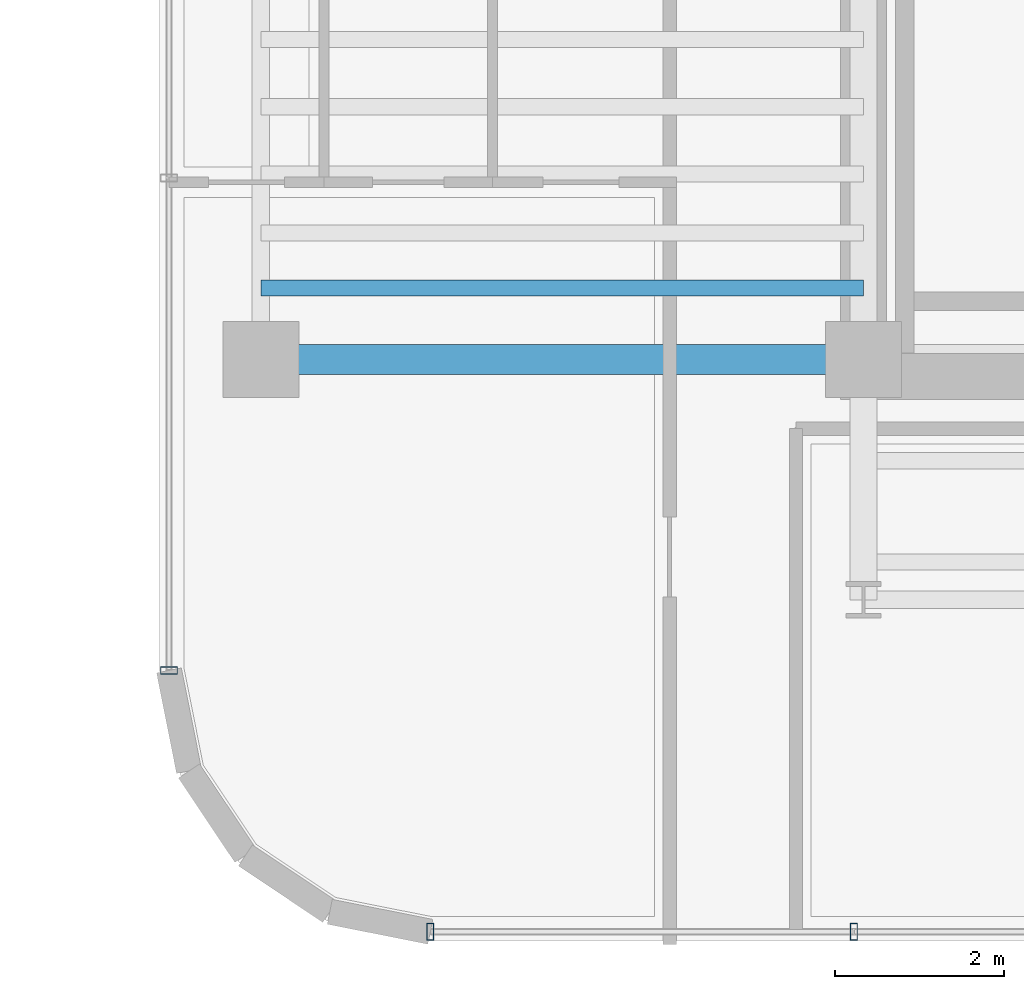
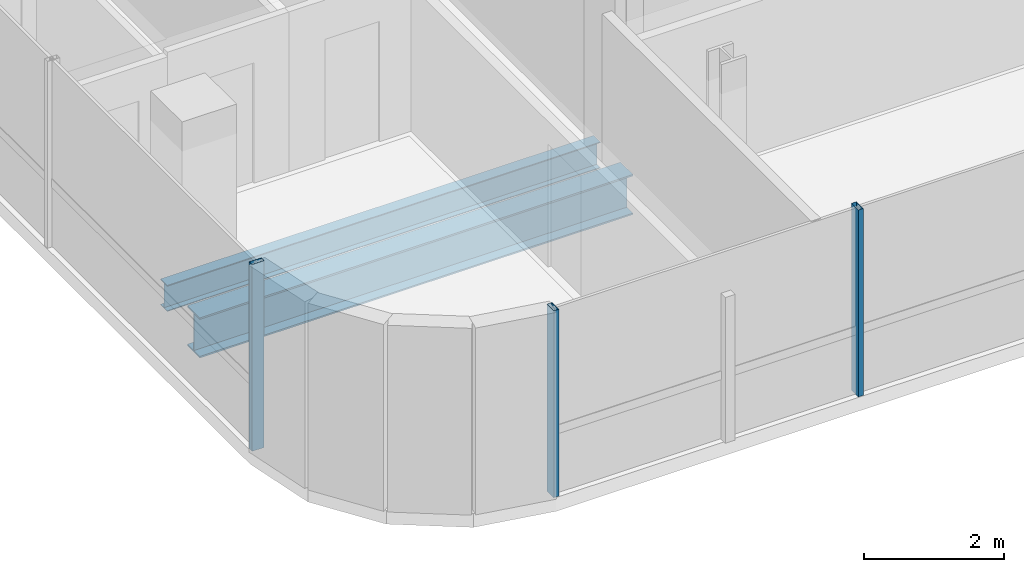
# One storey, part 2 of 22: 3 members, 2 beams, 2 elements without a shape of their own.
"""IFC4 building model written with IfcOpenShell, lengths in metres."""

from ifc_helpers import new_model, si_unit, direction, frame, origin, origin_2d, place, context, subcontext, project, spatial, hollow_rectangle, i_section, extrude, source, transform, mapped, material, material_profile, profile_set, type_object, element, aggregate, save


model = new_model("IFC4")

# Units and contexts
model_context = context("Model", 3, precision=1e-05, world=origin(), true_north=direction((0.0, 1.0)))
body_context = subcontext(model_context, "Body", "Model", "MODEL_VIEW")
ifc_project = project(units=[si_unit("LENGTHUNIT", "METRE"), si_unit("AREAUNIT", "SQUARE_METRE"), si_unit("VOLUMEUNIT", "CUBIC_METRE"), si_unit("PLANEANGLEUNIT", "RADIAN"), si_unit("MASSUNIT", "GRAM", prefix="KILO")], contexts=[model_context])

# Site, building, storey
site_placement = place(None, origin())
site = spatial("IfcSite", under=ifc_project, at=site_placement, CompositionType="ELEMENT")
building_placement = place(site_placement, origin())
building = spatial("IfcBuilding", under=site, at=building_placement, Name="Valdorenza Pilgrim Sanctuary Tower", CompositionType="ELEMENT")
storey_placement = place(building_placement, frame((0.0, 0.0, 209.0)))
storey = spatial("IfcBuildingStorey", under=building, at=storey_placement, Name="L53", CompositionType="ELEMENT", Elevation=209.0)

# Beams
ifc_material_1 = material(Name="Steel ASTM A992 Grade 50", Category="steel")
ifc_material_profile_1 = material_profile(ifc_material_1, i_section(OverallWidth=0.19091796875, OverallDepth=0.45703125, WebThickness=0.009033203125, FlangeThickness=0.014404296875, at=origin_2d()), Name="W18X50")
ifc_profile_set_1 = profile_set([ifc_material_profile_1], Name="Steel ASTM A992 Grade 50")
beam_type_1 = type_object("IfcBeamType", Name="STR-BM-JST-W18B", PredefinedType="JOIST", material=ifc_profile_set_1)
shared_shape_1 = source(origin(), body_context, "Body", "SweptSolid", [
    extrude(i_section(OverallWidth=0.19091796875, OverallDepth=0.45703125, WebThickness=0.009033203125, FlangeThickness=0.014404296875, at=origin_2d()), origin(), (0.0, 0.0, 1.0), 7.150146484375),
])
beam_1_placement = place(storey_placement, frame((-29.800048828125, -9.75, -0.468505859375), z_axis=(1.0, 0.0, 0.0), x_axis=(0.0, 1.0, 0.0)))
element("IfcBeam", 1, at=beam_1_placement, inside=storey, type_object=beam_type_1, Name="L53 Composite Floor Joist JST-WA-1", PredefinedType="JOIST", context=body_context, shape_type="MappedRepresentation", body=[
    mapped(shared_shape_1, transform((0.0, 0.0, 0.0), x_axis=(1.0, 0.0, 0.0), y_axis=(0.0, 1.0, 0.0), z_axis=(0.0, 0.0, 1.0), scale=1.0)),
])
ifc_material_profile_2 = material_profile(ifc_material_1, i_section(OverallWidth=0.35595703125, OverallDepth=0.700927734375, WebThickness=0.016845703125, FlangeThickness=0.02734375, at=origin_2d()), Name="W27X161")
ifc_profile_set_2 = profile_set([ifc_material_profile_2], Name="Steel ASTM A992 Grade 50")
beam_type_2 = type_object("IfcBeamType", Name="STR-BM-GRD-W27", PredefinedType="BEAM", material=ifc_profile_set_2)
shared_shape_2 = source(origin(), body_context, "Body", "SweptSolid", [
    extrude(i_section(OverallWidth=0.35595703125, OverallDepth=0.700927734375, WebThickness=0.016845703125, FlangeThickness=0.02734375, at=origin_2d()), origin(), (0.0, 0.0, 1.0), 7.150146484375),
])
beam_2_placement = place(storey_placement, frame((-29.800048828125, -10.60009765625, -0.590576171875), z_axis=(1.0, 0.0, 0.0), x_axis=(0.0, 1.0, 0.0)))
element("IfcBeam", 2, at=beam_2_placement, inside=storey, type_object=beam_type_2, Name="L53 Floor Girder WA-XW-S1", PredefinedType="BEAM", context=body_context, shape_type="MappedRepresentation", body=[
    mapped(shared_shape_2, transform((0.0, 0.0, 0.0), x_axis=(1.0, 0.0, 0.0), y_axis=(0.0, 1.0, 0.0), z_axis=(0.0, 0.0, 1.0), scale=1.0)),
])

# Curtain wall, member
ifc_material_2 = material(Name="Curtain-wall IGU glazing", Category="glass")
curtain_wall_type = type_object("IfcCurtainWallType", Name="CW-SYS-02", PredefinedType="NOTDEFINED", material=ifc_material_2)
curtain_wall_1_placement = place(storey_placement, origin())
curtain_wall_1 = element("IfcCurtainWall", 3, at=curtain_wall_1_placement, inside=storey, type_object=curtain_wall_type, Name="L53 Curtain Wall CW-L53-1-1S1", PredefinedType="NOTDEFINED")
ifc_material_3 = material(Name="Anodised aluminium AW-6060", Category="aluminium")
ifc_material_profile_3 = material_profile(ifc_material_3, hollow_rectangle(XDim=0.0849609375, YDim=0.199951171875, WallThickness=0.0048828125, at=origin_2d()), Name="ALU-M 200x85x5")
ifc_profile_set_3 = profile_set([ifc_material_profile_3], Name="Anodised aluminium AW-6060")
member_type = type_object("IfcMemberType", Name="CW-MUL-02", PredefinedType="MULLION", material=ifc_profile_set_3)
shared_shape_3 = source(origin(), body_context, "Body", "SweptSolid", [
    extrude(hollow_rectangle(XDim=0.0849609375, YDim=0.199951171875, WallThickness=0.0048828125, at=origin_2d()), origin(), (0.0, 0.0, 1.0), 3.260009765625),
])
member_1_placement = place(storey_placement, frame((-30.889892578125, -14.289306640625, 0.0), z_axis=(0.0, 0.0, 1.0), x_axis=(0.0, 1.0, 0.0)))
member_1 = element("IfcMember", 4, at=member_1_placement, type_object=member_type, Name="CW-L53-1-1S1 Mullion 1", PredefinedType="MULLION", context=body_context, shape_type="MappedRepresentation", body=[
    mapped(shared_shape_3, transform((0.0, 0.0, 0.0), x_axis=(1.0, 0.0, 0.0), y_axis=(0.0, 1.0, 0.0), z_axis=(0.0, 0.0, 1.0), scale=1.0)),
])
aggregate(curtain_wall_1, [member_1])

# Curtain wall, members
curtain_wall_2_placement = place(storey_placement, origin())
curtain_wall_2 = element("IfcCurtainWall", 5, at=curtain_wall_2_placement, inside=storey, type_object=curtain_wall_type, Name="L53 Curtain Wall CW-L53-1-26", PredefinedType="NOTDEFINED")
member_2_placement = place(storey_placement, frame((-22.76318359375, -17.389892578125, 0.0), z_axis=(0.0, 0.0, 1.0), x_axis=(-1.0, 0.0, 0.0)))
member_2 = element("IfcMember", 6, at=member_2_placement, type_object=member_type, Name="CW-L53-1-26 Mullion 3", PredefinedType="MULLION", context=body_context, shape_type="MappedRepresentation", body=[
    mapped(shared_shape_3, transform((0.0, 0.0, 0.0), x_axis=(1.0, 0.0, 0.0), y_axis=(0.0, 1.0, 0.0), z_axis=(0.0, 0.0, 1.0), scale=1.0)),
])
member_3_placement = place(storey_placement, frame((-27.789306640625, -17.389892578125, 0.0), z_axis=(0.0, 0.0, 1.0), x_axis=(-1.0, 0.0, 0.0)))
member_3 = element("IfcMember", 7, at=member_3_placement, type_object=member_type, Name="CW-L53-1-26 Mullion 4", PredefinedType="MULLION", context=body_context, shape_type="MappedRepresentation", body=[
    mapped(shared_shape_3, transform((0.0, 0.0, 0.0), x_axis=(1.0, 0.0, 0.0), y_axis=(0.0, 1.0, 0.0), z_axis=(0.0, 0.0, 1.0), scale=1.0)),
])
aggregate(curtain_wall_2, [member_2, member_3])

save(model, "model.ifc")
